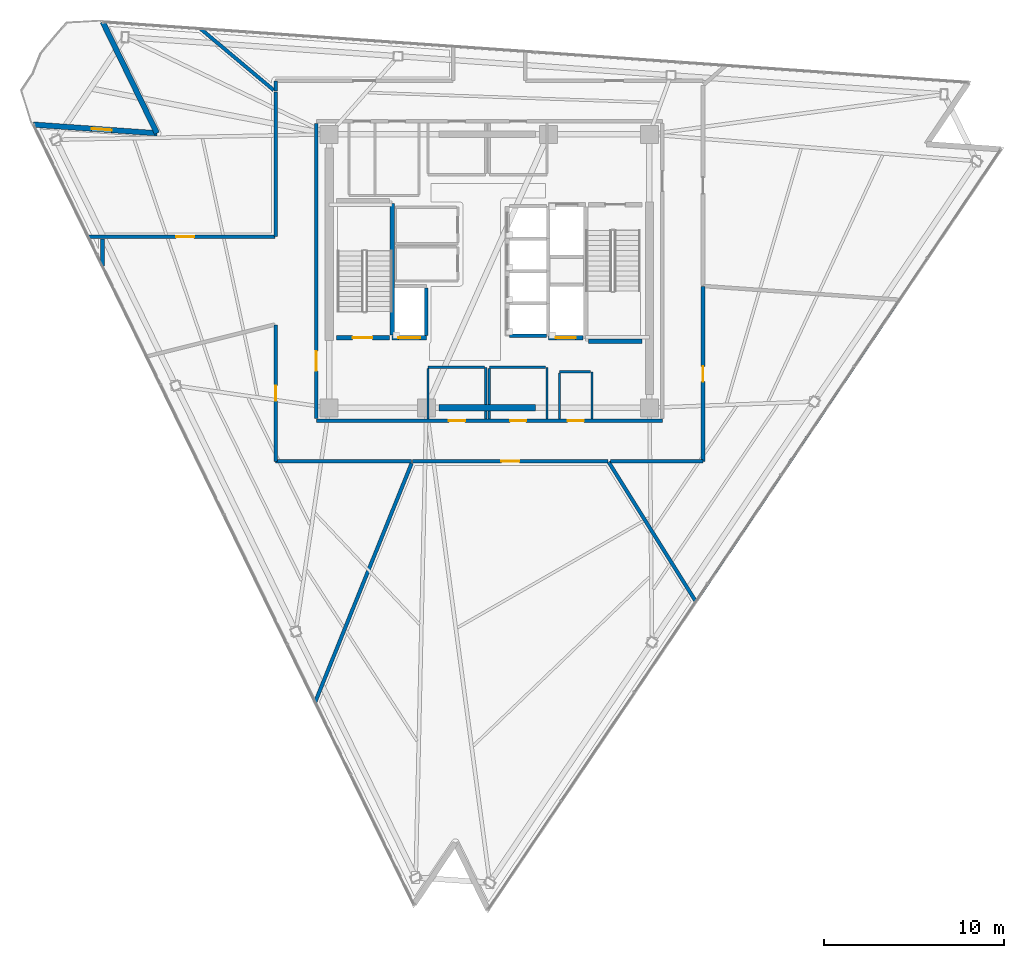
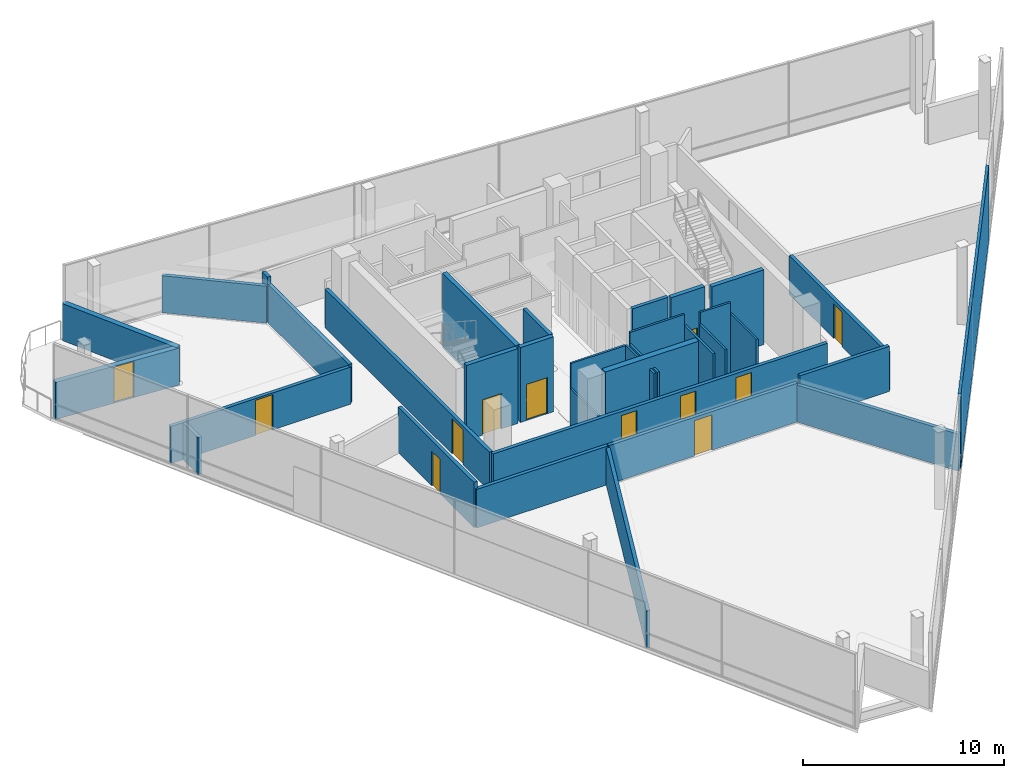
# One storey, part 9 of 13: 36 walls, 12 doors, 12 openings.
"""IFC4 building model written with IfcOpenShell, lengths in metres."""

from ifc_helpers import new_model, si_unit, direction, frame, frame_2d, origin, place, context, subcontext, project, spatial, rectangle, extrude, material, layer, layer_set, type_object, element, fill, save


model = new_model("IFC4")

# Units and contexts
model_context = context("Model", 3, precision=1e-05, world=origin(), true_north=direction((0.0, 1.0)))
body_context = subcontext(model_context, "Body", "Model", "MODEL_VIEW")
ifc_project = project(units=[si_unit("LENGTHUNIT", "METRE"), si_unit("AREAUNIT", "SQUARE_METRE"), si_unit("VOLUMEUNIT", "CUBIC_METRE"), si_unit("PLANEANGLEUNIT", "RADIAN"), si_unit("MASSUNIT", "GRAM", prefix="KILO")], contexts=[model_context])

# Site, building, storey
site_placement = place(None, origin())
site = spatial("IfcSite", under=ifc_project, at=site_placement, CompositionType="ELEMENT")
building_placement = place(site_placement, origin())
building = spatial("IfcBuilding", under=site, at=building_placement, Name="Tharavind Bronze Gate", CompositionType="ELEMENT")
storey_placement = place(building_placement, frame((0.0, 0.0, 248.64990234375)))
storey = spatial("IfcBuildingStorey", under=building, at=storey_placement, Name="L64", CompositionType="ELEMENT", Elevation=248.64990234375)

# Wall
ifc_material_1 = material(Name="Concrete C40/50", Category="concrete")
ifc_layer_1 = layer(ifc_material_1, 0.300048828125)
ifc_layer_set_1 = layer_set([ifc_layer_1], Name="Concrete C40/50")
wall_type_1 = type_object("IfcWallType", Name="EXTERIOR SPANDREL WALL 300", PredefinedType="STANDARD", material=ifc_layer_set_1)
wall_1_placement = place(storey_placement, frame((-21.489990234375, 13.844482421875, 0.0), z_axis=(0.0, 0.0, 1.0), x_axis=(0.438391471143, -0.898784133165, 0.0)))
element("IfcWall", 1, at=wall_1_placement, inside=storey, type_object=wall_type_1, Name="L64 notch cheek wall 1A", PredefinedType="STANDARD", context=body_context, shape_type="SweptSolid", body=[
    extrude(rectangle(XDim=6.8798828125, YDim=0.300048828125, at=frame_2d((3.43994140625, 0.0))), origin(), (0.0, 0.0, 1.0), 2.255126953125),
])

# Wall, opening, door
wall_2_placement = place(storey_placement, frame((-18.473876953125, 7.660888671875, 0.0), z_axis=(0.0, 0.0, 1.0), x_axis=(-0.997565982203, 0.069728840176, 0.0)))
wall_2 = element("IfcWall", 2, at=wall_2_placement, inside=storey, type_object=wall_type_1, Name="L64 notch cheek wall 1B", PredefinedType="STANDARD", context=body_context, shape_type="SweptSolid", body=[
    extrude(rectangle(XDim=6.880126953125, YDim=0.300048828125, at=frame_2d((3.43994140625, 0.0))), origin(), (0.0, 0.0, 1.0), 2.255126953125),
])
opening_1_placement = place(wall_2_placement, frame((2.531982421875, 0.0, 0.0)))
opening_1 = element("IfcOpeningElement", 3, at=opening_1_placement, cuts=wall_2, Name="Opening ED04", PredefinedType="OPENING", context=body_context, shape_type="SweptSolid", body=[
    extrude(rectangle(XDim=1.10009765625, YDim=2.199951171875, at=frame_2d((0.550048828125, 1.10009765625))), frame((0.0, 0.15990234375, 0.0), z_axis=(0.0, -1.0, 0.0), x_axis=(1.0, 0.0, 0.0)), (0.0, 0.0, 1.0), 0.320048828125),
])
ifc_material_2 = material(Name="Bronze Aluminium & Toughened Glass", Category="aluminium")
door_type_1 = type_object("IfcDoorType", Name="TREE BALCONY ACCESS DOOR 1100X2200", OperationType="SINGLE_SWING_LEFT", PredefinedType="DOOR", material=ifc_material_2)
door_1_placement = place(opening_1_placement, origin())
door_1 = element("IfcDoor", 4, at=door_1_placement, inside=storey, type_object=door_type_1, Name="L64 tree balcony access door", OperationType="SINGLE_SWING_LEFT", OverallHeight=2.199951171875, OverallWidth=1.10009765625, PredefinedType="DOOR", context=body_context, shape_type="SweptSolid", body=[
    extrude(rectangle(XDim=1.10009765625, YDim=2.199951171875, at=frame_2d((0.550048828125, 1.10009765625))), frame((0.0, 0.02490234375, 0.0), z_axis=(0.0, -1.0, 0.0), x_axis=(1.0, 0.0, 0.0)), (0.0, 0.0, 1.0), 0.050048828125),
])
fill(opening_1, door_1)

# Wall, openings, doors
ifc_material_3 = material(Name="Aerated Concrete Block", Category="concrete")
ifc_layer_2 = layer(ifc_material_3, 0.199951171875)
ifc_layer_set_2 = layer_set([ifc_layer_2], Name="Aerated Concrete Block")
wall_type_2 = type_object("IfcWallType", Name="FIRE RATED PARTITION 200", PredefinedType="PARTITIONING", material=ifc_layer_set_2)
wall_3_placement = place(storey_placement, frame((-9.6201171875, -8.320068359375, 0.0), z_axis=(0.0, 0.0, 1.0), x_axis=(1.0, 0.0, 0.0)))
wall_3 = element("IfcWall", 5, at=wall_3_placement, inside=storey, type_object=wall_type_2, Name="L64 south core corridor wall", PredefinedType="PARTITIONING", context=body_context, shape_type="SweptSolid", body=[
    extrude(rectangle(XDim=19.240234375, YDim=0.199951171875, at=frame_2d((9.6201171875, 0.0))), origin(), (0.0, 0.0, 1.0), 2.35498046875),
])
opening_2_placement = place(wall_3_placement, frame((7.3701171875, 0.0, 0.0)))
opening_2 = element("IfcOpeningElement", 6, at=opening_2_placement, cuts=wall_3, Name="Opening ID07", PredefinedType="OPENING", context=body_context, shape_type="SweptSolid", body=[
    extrude(rectangle(XDim=0.89990234375, YDim=2.10009765625, at=frame_2d((0.449951171875, 1.050048828125))), frame((0.0, 0.11009765625, 0.0), z_axis=(0.0, -1.0, 0.0), x_axis=(1.0, 0.0, 0.0)), (0.0, 0.0, 1.0), 0.219951171875),
])
opening_3_placement = place(wall_3_placement, frame((10.77001953125, 0.0, 0.0)))
opening_3 = element("IfcOpeningElement", 7, at=opening_3_placement, cuts=wall_3, Name="Opening ID07", PredefinedType="OPENING", context=body_context, shape_type="SweptSolid", body=[
    extrude(rectangle(XDim=0.89990234375, YDim=2.10009765625, at=frame_2d((0.449951171875, 1.050048828125))), frame((0.0, 0.11009765625, 0.0), z_axis=(0.0, -1.0, 0.0), x_axis=(1.0, 0.0, 0.0)), (0.0, 0.0, 1.0), 0.219951171875),
])
opening_4_placement = place(wall_3_placement, frame((13.969970703125, 0.0, 0.0)))
opening_4 = element("IfcOpeningElement", 8, at=opening_4_placement, cuts=wall_3, Name="Opening ID07", PredefinedType="OPENING", context=body_context, shape_type="SweptSolid", body=[
    extrude(rectangle(XDim=0.89990234375, YDim=2.10009765625, at=frame_2d((0.449951171875, 1.050048828125))), frame((0.0, 0.11009765625, 0.0), z_axis=(0.0, -1.0, 0.0), x_axis=(1.0, 0.0, 0.0)), (0.0, 0.0, 1.0), 0.219951171875),
])
ifc_material_4 = material(Name="Galvanised Fire Steel", Category="steel")
door_type_2 = type_object("IfcDoorType", Name="PLANT AND RISER FIRE DOOR 900X2100", OperationType="SINGLE_SWING_LEFT", PredefinedType="DOOR", material=ifc_material_4)
door_2_placement = place(opening_2_placement, frame((0.89990234375, 0.0, 0.0), z_axis=(0.0, 0.0, 1.0), x_axis=(-1.0, 0.0, 0.0)))
door_2 = element("IfcDoor", 9, at=door_2_placement, inside=storey, type_object=door_type_2, Name="L64 Core Archive Store fire door", OperationType="SINGLE_SWING_LEFT", OverallHeight=2.10009765625, OverallWidth=0.89990234375, PredefinedType="DOOR", context=body_context, shape_type="SweptSolid", body=[
    extrude(rectangle(XDim=0.89990234375, YDim=2.10009765625, at=frame_2d((0.449951171875, 1.050048828125))), frame((0.0, 0.02490234375, 0.0), z_axis=(0.0, -1.0, 0.0), x_axis=(1.0, 0.0, 0.0)), (0.0, 0.0, 1.0), 0.050048828125),
])
fill(opening_2, door_2)
door_3_placement = place(opening_3_placement, frame((0.89990234375, 0.0, 0.0), z_axis=(0.0, 0.0, 1.0), x_axis=(-1.0, 0.0, 0.0)))
door_3 = element("IfcDoor", 10, at=door_3_placement, inside=storey, type_object=door_type_2, Name="L64 Core Server Room fire door", OperationType="SINGLE_SWING_LEFT", OverallHeight=2.10009765625, OverallWidth=0.89990234375, PredefinedType="DOOR", context=body_context, shape_type="SweptSolid", body=[
    extrude(rectangle(XDim=0.89990234375, YDim=2.10009765625, at=frame_2d((0.449951171875, 1.050048828125))), frame((0.0, 0.02490234375, 0.0), z_axis=(0.0, -1.0, 0.0), x_axis=(1.0, 0.0, 0.0)), (0.0, 0.0, 1.0), 0.050048828125),
])
fill(opening_3, door_3)
door_4_placement = place(opening_4_placement, frame((0.89990234375, 0.0, 0.0), z_axis=(0.0, 0.0, 1.0), x_axis=(-1.0, 0.0, 0.0)))
door_4 = element("IfcDoor", 11, at=door_4_placement, inside=storey, type_object=door_type_2, Name="L64 Janitor Store Cupboard fire door", OperationType="SINGLE_SWING_LEFT", OverallHeight=2.10009765625, OverallWidth=0.89990234375, PredefinedType="DOOR", context=body_context, shape_type="SweptSolid", body=[
    extrude(rectangle(XDim=0.89990234375, YDim=2.10009765625, at=frame_2d((0.449951171875, 1.050048828125))), frame((0.0, 0.02490234375, 0.0), z_axis=(0.0, -1.0, 0.0), x_axis=(1.0, 0.0, 0.0)), (0.0, 0.0, 1.0), 0.050048828125),
])
fill(opening_4, door_4)

# Wall, opening, door
wall_4_placement = place(storey_placement, frame((-9.6201171875, 8.199951171875, 0.0), z_axis=(0.0, 0.0, 1.0), x_axis=(0.0, -1.0, 0.0)))
wall_4 = element("IfcWall", 12, at=wall_4_placement, inside=storey, type_object=wall_type_2, Name="L64 west core corridor wall", PredefinedType="PARTITIONING", context=body_context, shape_type="SweptSolid", body=[
    extrude(rectangle(XDim=16.39990234375, YDim=0.199951171875, at=frame_2d((8.199951171875, 0.0))), origin(), (0.0, 0.0, 1.0), 2.35498046875),
])
opening_5_placement = place(wall_4_placement, frame((12.64990234375, 0.0, 0.0)))
opening_5 = element("IfcOpeningElement", 13, at=opening_5_placement, cuts=wall_4, Name="Opening ID01", PredefinedType="OPENING", context=body_context, shape_type="SweptSolid", body=[
    extrude(rectangle(XDim=1.10009765625, YDim=2.14990234375, at=frame_2d((0.550048828125, 1.074951171875))), frame((0.0, 0.11009765625, 0.0), z_axis=(0.0, -1.0, 0.0), x_axis=(1.0, 0.0, 0.0)), (0.0, 0.0, 1.0), 0.219951171875),
])
ifc_material_5 = material(Name="Fire-Rated Steel", Category="steel")
door_type_3 = type_object("IfcDoorType", Name="STAIR CORE FIRE DOOR 1100X2150", OperationType="SINGLE_SWING_LEFT", PredefinedType="DOOR", material=ifc_material_5)
door_5_placement = place(opening_5_placement, frame((1.10009765625, 0.0, 0.0), z_axis=(0.0, 0.0, 1.0), x_axis=(-1.0, 0.0, 0.0)))
door_5 = element("IfcDoor", 14, at=door_5_placement, inside=storey, type_object=door_type_3, Name="L64 south west stair lobby fire door", OperationType="SINGLE_SWING_LEFT", OverallHeight=2.14990234375, OverallWidth=1.10009765625, PredefinedType="DOOR", context=body_context, shape_type="SweptSolid", body=[
    extrude(rectangle(XDim=1.10009765625, YDim=2.14990234375, at=frame_2d((0.550048828125, 1.074951171875))), frame((0.0, 0.02490234375, 0.0), z_axis=(0.0, -1.0, 0.0), x_axis=(1.0, 0.0, 0.0)), (0.0, 0.0, 1.0), 0.050048828125),
])
fill(opening_5, door_5)

wall_5_placement = place(storey_placement, frame((-11.8798828125, -2.993896484375, 0.0), z_axis=(0.0, 0.0, 1.0), x_axis=(0.0, -1.0, 0.0)))
wall_5 = element("IfcWall", 15, at=wall_5_placement, inside=storey, type_object=wall_type_2, Name="L64 Public Restrooms Block partition", PredefinedType="PARTITIONING", context=body_context, shape_type="SweptSolid", body=[
    extrude(rectangle(XDim=7.58544921875, YDim=0.199951171875, at=frame_2d((3.792724609375, 0.0))), origin(), (0.0, 0.0, 1.0), 2.755126953125),
])
opening_6_placement = place(wall_5_placement, frame((3.367919921875, 0.0, 0.0)))
opening_6 = element("IfcOpeningElement", 16, at=opening_6_placement, cuts=wall_5, Name="Opening ID06", PredefinedType="OPENING", context=body_context, shape_type="SweptSolid", body=[
    extrude(rectangle(XDim=0.85009765625, YDim=2.10009765625, at=frame_2d((0.425048828125, 1.050048828125))), frame((0.0, 0.11009765625, 0.0), z_axis=(0.0, -1.0, 0.0), x_axis=(1.0, 0.0, 0.0)), (0.0, 0.0, 1.0), 0.219951171875),
])
ifc_material_6 = material(Name="Moisture-Resistant Timber", Category="wood")
door_type_4 = type_object("IfcDoorType", Name="BATHROOM PRIVACY DOOR 850X2100", OperationType="SINGLE_SWING_RIGHT", PredefinedType="DOOR", material=ifc_material_6)
door_6_placement = place(opening_6_placement, origin())
door_6 = element("IfcDoor", 17, at=door_6_placement, inside=storey, type_object=door_type_4, Name="L64 Public Restrooms Block door", OperationType="SINGLE_SWING_RIGHT", OverallHeight=2.10009765625, OverallWidth=0.85009765625, PredefinedType="DOOR", context=body_context, shape_type="SweptSolid", body=[
    extrude(rectangle(XDim=0.85009765625, YDim=2.10009765625, at=frame_2d((0.425048828125, 1.050048828125))), frame((0.0, 0.02490234375, 0.0), z_axis=(0.0, -1.0, 0.0), x_axis=(1.0, 0.0, 0.0)), (0.0, 0.0, 1.0), 0.050048828125),
])
fill(opening_6, door_6)

# Walls
wall_6_placement = place(storey_placement, frame((-11.87939453125, -10.580078125, 0.0), z_axis=(0.0, 0.0, 1.0), x_axis=(1.0, 0.0, 0.0)))
element("IfcWall", 18, at=wall_6_placement, inside=storey, type_object=wall_type_2, Name="L64 Public Restrooms Block partition", PredefinedType="PARTITIONING", context=body_context, shape_type="SweptSolid", body=[
    extrude(rectangle(XDim=7.567626953125, YDim=0.199951171875, at=frame_2d((3.78369140625, 0.0))), origin(), (0.0, 0.0, 1.0), 2.35498046875),
])
wall_7_placement = place(storey_placement, frame((-4.31689453125, -10.68505859375, 0.0), z_axis=(0.0, 0.0, 1.0), x_axis=(-0.374607677729, -0.927183416475, 0.0)))
element("IfcWall", 19, at=wall_7_placement, inside=storey, type_object=wall_type_2, Name="L64 Public Restrooms Block partition", PredefinedType="PARTITIONING", context=body_context, shape_type="SweptSolid", body=[
    extrude(rectangle(XDim=14.317626953125, YDim=0.199951171875, at=frame_2d((7.15869140625, 0.0))), origin(), (0.0, 0.0, 1.0), 2.255126953125),
])
wall_8_placement = place(storey_placement, frame((11.476318359375, -18.365478515625, 0.0), z_axis=(0.0, 0.0, 1.0), x_axis=(-0.529938884519, 0.848035835726, 0.0)))
element("IfcWall", 20, at=wall_8_placement, inside=storey, type_object=wall_type_2, Name="L64 Public Restrooms Block partition", PredefinedType="PARTITIONING", context=body_context, shape_type="SweptSolid", body=[
    extrude(rectangle(XDim=9.135498046875, YDim=0.199951171875, at=frame_2d((4.56787109375, 0.0))), origin(), (0.0, 0.0, 1.0), 2.255126953125),
])
wall_9_placement = place(storey_placement, frame((6.73486328125, -10.580078125, 0.0), z_axis=(0.0, 0.0, 1.0), x_axis=(1.0, 0.0, 0.0)))
element("IfcWall", 21, at=wall_9_placement, inside=storey, type_object=wall_type_2, Name="L64 Public Restrooms Block partition", PredefinedType="PARTITIONING", context=body_context, shape_type="SweptSolid", body=[
    extrude(rectangle(XDim=5.14453125, YDim=0.199951171875, at=frame_2d((2.572265625, 0.0))), origin(), (0.0, 0.0, 1.0), 2.755126953125),
])

# Wall, opening, door
wall_10_placement = place(storey_placement, frame((11.8798828125, -10.579345703125, 0.0), z_axis=(0.0, 0.0, 1.0), x_axis=(0.0, 1.0, 0.0)))
wall_10 = element("IfcWall", 22, at=wall_10_placement, inside=storey, type_object=wall_type_2, Name="L64 Public Restrooms Block partition", PredefinedType="PARTITIONING", context=body_context, shape_type="SweptSolid", body=[
    extrude(rectangle(XDim=9.721923828125, YDim=0.199951171875, at=frame_2d((4.86083984375, 0.0))), origin(), (0.0, 0.0, 1.0), 2.35498046875),
])
opening_7_placement = place(wall_10_placement, frame((4.43603515625, 0.0, 0.0)))
opening_7 = element("IfcOpeningElement", 23, at=opening_7_placement, cuts=wall_10, Name="Opening ID06", PredefinedType="OPENING", context=body_context, shape_type="SweptSolid", body=[
    extrude(rectangle(XDim=0.85009765625, YDim=2.10009765625, at=frame_2d((0.425048828125, 1.050048828125))), frame((0.0, 0.11009765625, 0.0), z_axis=(0.0, -1.0, 0.0), x_axis=(1.0, 0.0, 0.0)), (0.0, 0.0, 1.0), 0.219951171875),
])
door_7_placement = place(opening_7_placement, origin())
door_7 = element("IfcDoor", 24, at=door_7_placement, inside=storey, type_object=door_type_4, Name="L64 Public Restrooms Block door", OperationType="SINGLE_SWING_RIGHT", OverallHeight=2.10009765625, OverallWidth=0.85009765625, PredefinedType="DOOR", context=body_context, shape_type="SweptSolid", body=[
    extrude(rectangle(XDim=0.85009765625, YDim=2.10009765625, at=frame_2d((0.425048828125, 1.050048828125))), frame((0.0, 0.02490234375, 0.0), z_axis=(0.0, -1.0, 0.0), x_axis=(1.0, 0.0, 0.0)), (0.0, 0.0, 1.0), 0.050048828125),
])
fill(opening_7, door_7)

# Walls
wall_11_placement = place(storey_placement, frame((-11.8798828125, 10.579345703125, 0.0), z_axis=(0.0, 0.0, 1.0), x_axis=(0.0, -1.0, 0.0)))
element("IfcWall", 25, at=wall_11_placement, inside=storey, type_object=wall_type_2, Name="L64 Scrum Huddle Room partition", PredefinedType="PARTITIONING", context=body_context, shape_type="SweptSolid", body=[
    extrude(rectangle(XDim=0.55712890625, YDim=0.199951171875, at=frame_2d((0.278564453125, 0.0))), origin(), (0.0, 0.0, 1.0), 2.755126953125),
])
wall_12_placement = place(storey_placement, frame((-11.985107421875, 10.056640625, 0.0), z_axis=(0.0, 0.0, 1.0), x_axis=(-0.766042290072, 0.64279017558, 0.0)))
element("IfcWall", 26, at=wall_12_placement, inside=storey, type_object=wall_type_2, Name="L64 Scrum Huddle Room partition", PredefinedType="PARTITIONING", context=body_context, shape_type="SweptSolid", body=[
    extrude(rectangle(XDim=5.30078125, YDim=0.199951171875, at=frame_2d((2.650390625, 0.0))), origin(), (0.0, 0.0, 1.0), 2.255126953125),
])
wall_13_placement = place(storey_placement, frame((-11.8798828125, 9.956787109375, 0.0), z_axis=(0.0, 0.0, 1.0), x_axis=(0.0, -1.0, 0.0)))
element("IfcWall", 27, at=wall_13_placement, inside=storey, type_object=wall_type_2, Name="L64 Security Operations Office partition", PredefinedType="PARTITIONING", context=body_context, shape_type="SweptSolid", body=[
    extrude(rectangle(XDim=8.03173828125, YDim=0.199951171875, at=frame_2d((4.015869140625, 0.0))), origin(), (0.0, 0.0, 1.0), 2.35498046875),
])

# Wall, opening, door
wall_14_placement = place(storey_placement, frame((-11.905029296875, 1.89990234375, 0.0), z_axis=(0.0, 0.0, 1.0), x_axis=(-1.0, 0.0, 0.0)))
wall_14 = element("IfcWall", 28, at=wall_14_placement, inside=storey, type_object=wall_type_2, Name="L64 Security Operations Office partition", PredefinedType="PARTITIONING", context=body_context, shape_type="SweptSolid", body=[
    extrude(rectangle(XDim=10.38818359375, YDim=0.199951171875, at=frame_2d((5.194091796875, 0.0))), origin(), (0.0, 0.0, 1.0), 2.255126953125),
])
opening_8_placement = place(wall_14_placement, frame((4.508056640625, 0.0, 0.0)))
opening_8 = element("IfcOpeningElement", 29, at=opening_8_placement, cuts=wall_14, Name="Opening ID04", PredefinedType="OPENING", context=body_context, shape_type="SweptSolid", body=[
    extrude(rectangle(XDim=1.0, YDim=2.14990234375, at=frame_2d((0.5, 1.074951171875))), frame((0.0, 0.11009765625, 0.0), z_axis=(0.0, -1.0, 0.0), x_axis=(1.0, 0.0, 0.0)), (0.0, 0.0, 1.0), 0.219951171875),
])
ifc_material_7 = material(Name="Bronze Framed Acoustic Timber", Category="wood")
door_type_5 = type_object("IfcDoorType", Name="OFFICE TENANCY DOOR 1000X2150", OperationType="SINGLE_SWING_RIGHT", PredefinedType="DOOR", material=ifc_material_7)
door_8_placement = place(opening_8_placement, origin())
door_8 = element("IfcDoor", 30, at=door_8_placement, inside=storey, type_object=door_type_5, Name="L64 Security Operations Office door", OperationType="SINGLE_SWING_RIGHT", OverallHeight=2.14990234375, OverallWidth=1.0, PredefinedType="DOOR", context=body_context, shape_type="SweptSolid", body=[
    extrude(rectangle(XDim=1.0, YDim=2.14990234375, at=frame_2d((0.5, 1.074951171875))), frame((0.0, 0.02490234375, 0.0), z_axis=(0.0, -1.0, 0.0), x_axis=(1.0, 0.0, 0.0)), (0.0, 0.0, 1.0), 0.050048828125),
])
fill(opening_8, door_8)

# Wall
wall_15_placement = place(storey_placement, frame((-21.5, 1.794921875, 0.0), z_axis=(0.0, 0.0, 1.0), x_axis=(0.0, -1.0, 0.0)))
element("IfcWall", 31, at=wall_15_placement, inside=storey, type_object=wall_type_2, Name="L64 Security Operations Office partition", PredefinedType="PARTITIONING", context=body_context, shape_type="SweptSolid", body=[
    extrude(rectangle(XDim=1.521484375, YDim=0.199951171875, at=frame_2d((0.7607421875, 0.0))), origin(), (0.0, 0.0, 1.0), 2.255126953125),
])

# Wall, opening, door
wall_16_placement = place(storey_placement, frame((-4.2578125, -10.580078125, 0.0), z_axis=(0.0, 0.0, 1.0), x_axis=(1.0, 0.0, 0.0)))
wall_16 = element("IfcWall", 32, at=wall_16_placement, inside=storey, type_object=wall_type_2, Name="L64 Platform Open Office partition", PredefinedType="PARTITIONING", context=body_context, shape_type="SweptSolid", body=[
    extrude(rectangle(XDim=10.855224609375, YDim=0.199951171875, at=frame_2d((5.427734375, 0.0))), origin(), (0.0, 0.0, 1.0), 2.35498046875),
])
opening_9_placement = place(wall_16_placement, frame((4.927978515625, 0.0, 0.0)))
opening_9 = element("IfcOpeningElement", 33, at=opening_9_placement, cuts=wall_16, Name="Opening ID04", PredefinedType="OPENING", context=body_context, shape_type="SweptSolid", body=[
    extrude(rectangle(XDim=1.0, YDim=2.14990234375, at=frame_2d((0.5, 1.074951171875))), frame((0.0, 0.11009765625, 0.0), z_axis=(0.0, -1.0, 0.0), x_axis=(1.0, 0.0, 0.0)), (0.0, 0.0, 1.0), 0.219951171875),
])
door_9_placement = place(opening_9_placement, origin())
door_9 = element("IfcDoor", 34, at=door_9_placement, inside=storey, type_object=door_type_5, Name="L64 Platform Open Office door", OperationType="SINGLE_SWING_RIGHT", OverallHeight=2.14990234375, OverallWidth=1.0, PredefinedType="DOOR", context=body_context, shape_type="SweptSolid", body=[
    extrude(rectangle(XDim=1.0, YDim=2.14990234375, at=frame_2d((0.5, 1.074951171875))), frame((0.0, 0.02490234375, 0.0), z_axis=(0.0, -1.0, 0.0), x_axis=(1.0, 0.0, 0.0)), (0.0, 0.0, 1.0), 0.050048828125),
])
fill(opening_9, door_9)

# Walls
ifc_material_8 = material(Name="Metal Stud Gypsum Partition", Category="gypsum")
ifc_layer_3 = layer(ifc_material_8, 0.1201171875)
ifc_layer_set_3 = layer_set([ifc_layer_3], Name="Metal Stud Gypsum Partition")
wall_type_3 = type_object("IfcWallType", Name="INTERIOR PARTITION WALL 120", PredefinedType="PARTITIONING", material=ifc_layer_set_3)
wall_17_placement = place(storey_placement, frame((-0.199951171875, -8.215087890625, 0.0), z_axis=(0.0, 0.0, 1.0), x_axis=(0.0, 1.0, 0.0)))
element("IfcWall", 35, at=wall_17_placement, inside=storey, type_object=wall_type_3, Name="L64 Core Archive Store partition 2", PredefinedType="PARTITIONING", context=body_context, shape_type="SweptSolid", body=[
    extrude(rectangle(XDim=0.43505859375, YDim=0.1201171875, at=frame_2d((0.217529296875, 0.0))), origin(), (0.0, 0.0, 1.0), 3.85498046875),
])
wall_18_placement = place(storey_placement, frame((-0.199951171875, -7.419921875, 0.0), z_axis=(0.0, 0.0, 1.0), x_axis=(0.0, 1.0, 0.0)))
element("IfcWall", 36, at=wall_18_placement, inside=storey, type_object=wall_type_3, Name="L64 Core Archive Store partition 2", PredefinedType="PARTITIONING", context=body_context, shape_type="SweptSolid", body=[
    extrude(rectangle(XDim=2.06982421875, YDim=0.1201171875, at=frame_2d((1.034912109375, 0.0))), origin(), (0.0, 0.0, 1.0), 3.85498046875),
])
wall_19_placement = place(storey_placement, frame((-0.264892578125, -5.35009765625, 0.0), z_axis=(0.0, 0.0, 1.0), x_axis=(-1.0, 0.0, 0.0)))
element("IfcWall", 37, at=wall_19_placement, inside=storey, type_object=wall_type_3, Name="L64 Core Archive Store partition 3", PredefinedType="PARTITIONING", context=body_context, shape_type="SweptSolid", body=[
    extrude(rectangle(XDim=3.135009765625, YDim=0.1201171875, at=frame_2d((1.5673828125, 0.0))), origin(), (0.0, 0.0, 1.0), 3.85498046875),
])
wall_20_placement = place(storey_placement, frame((-3.39990234375, -5.4150390625, 0.0), z_axis=(0.0, 0.0, 1.0), x_axis=(0.0, -1.0, 0.0)))
element("IfcWall", 38, at=wall_20_placement, inside=storey, type_object=wall_type_3, Name="L64 Core Archive Store partition 4", PredefinedType="PARTITIONING", context=body_context, shape_type="SweptSolid", body=[
    extrude(rectangle(XDim=2.800048828125, YDim=0.1201171875, at=frame_2d((1.39990234375, 0.0))), origin(), (0.0, 0.0, 1.0), 2.35498046875),
])
wall_21_placement = place(storey_placement, frame((3.199951171875, -8.215087890625, 0.0), z_axis=(0.0, 0.0, 1.0), x_axis=(0.0, 1.0, 0.0)))
element("IfcWall", 39, at=wall_21_placement, inside=storey, type_object=wall_type_3, Name="L64 Core Server Room partition 2", PredefinedType="PARTITIONING", context=body_context, shape_type="SweptSolid", body=[
    extrude(rectangle(XDim=2.864990234375, YDim=0.1201171875, at=frame_2d((1.4326171875, 0.0))), origin(), (0.0, 0.0, 1.0), 3.85498046875),
])
wall_22_placement = place(storey_placement, frame((3.135009765625, -5.35009765625, 0.0), z_axis=(0.0, 0.0, 1.0), x_axis=(-1.0, 0.0, 0.0)))
element("IfcWall", 40, at=wall_22_placement, inside=storey, type_object=wall_type_3, Name="L64 Core Server Room partition 3", PredefinedType="PARTITIONING", context=body_context, shape_type="SweptSolid", body=[
    extrude(rectangle(XDim=3.135009765625, YDim=0.1201171875, at=frame_2d((1.5673828125, 0.0))), origin(), (0.0, 0.0, 1.0), 4.56005859375),
])
wall_23_placement = place(storey_placement, frame((0.0, -5.4150390625, 0.0), z_axis=(0.0, 0.0, 1.0), x_axis=(0.0, -1.0, 0.0)))
element("IfcWall", 41, at=wall_23_placement, inside=storey, type_object=wall_type_3, Name="L64 Core Server Room partition 4", PredefinedType="PARTITIONING", context=body_context, shape_type="SweptSolid", body=[
    extrude(rectangle(XDim=2.0048828125, YDim=0.1201171875, at=frame_2d((1.00244140625, 0.0))), origin(), (0.0, 0.0, 1.0), 3.85498046875),
])
wall_24_placement = place(storey_placement, frame((0.0, -7.780029296875, 0.0), z_axis=(0.0, 0.0, 1.0), x_axis=(0.0, -1.0, 0.0)))
element("IfcWall", 42, at=wall_24_placement, inside=storey, type_object=wall_type_3, Name="L64 Core Server Room partition 4", PredefinedType="PARTITIONING", context=body_context, shape_type="SweptSolid", body=[
    extrude(rectangle(XDim=0.43505859375, YDim=0.1201171875, at=frame_2d((0.217529296875, 0.0))), origin(), (0.0, 0.0, 1.0), 3.85498046875),
])
wall_25_placement = place(storey_placement, frame((5.699951171875, -8.215087890625, 0.0), z_axis=(0.0, 0.0, 1.0), x_axis=(0.0, 1.0, 0.0)))
element("IfcWall", 43, at=wall_25_placement, inside=storey, type_object=wall_type_3, Name="L64 Janitor Store Cupboard partition 2", PredefinedType="PARTITIONING", context=body_context, shape_type="SweptSolid", body=[
    extrude(rectangle(XDim=2.614990234375, YDim=0.1201171875, at=frame_2d((1.3076171875, 0.0))), origin(), (0.0, 0.0, 1.0), 3.85498046875),
])
wall_26_placement = place(storey_placement, frame((5.635009765625, -5.60009765625, 0.0), z_axis=(0.0, 0.0, 1.0), x_axis=(-1.0, 0.0, 0.0)))
element("IfcWall", 44, at=wall_26_placement, inside=storey, type_object=wall_type_3, Name="L64 Janitor Store Cupboard partition 3", PredefinedType="PARTITIONING", context=body_context, shape_type="SweptSolid", body=[
    extrude(rectangle(XDim=1.735107421875, YDim=0.1201171875, at=frame_2d((0.86767578125, 0.0))), origin(), (0.0, 0.0, 1.0), 4.56005859375),
])
wall_27_placement = place(storey_placement, frame((3.89990234375, -5.6650390625, 0.0), z_axis=(0.0, 0.0, 1.0), x_axis=(0.0, -1.0, 0.0)))
element("IfcWall", 45, at=wall_27_placement, inside=storey, type_object=wall_type_3, Name="L64 Janitor Store Cupboard partition 4", PredefinedType="PARTITIONING", context=body_context, shape_type="SweptSolid", body=[
    extrude(rectangle(XDim=2.550048828125, YDim=0.1201171875, at=frame_2d((1.27490234375, 0.0))), origin(), (0.0, 0.0, 1.0), 3.85498046875),
])
ifc_material_9 = material(Name="Twin Stud Acoustic Gypsum", Category="gypsum")
ifc_layer_4 = layer(ifc_material_9, 0.14990234375)
ifc_layer_set_4 = layer_set([ifc_layer_4], Name="Twin Stud Acoustic Gypsum")
wall_type_4 = type_object("IfcWallType", Name="INTERIOR PARTITION WALL 150", PredefinedType="PARTITIONING", material=ifc_layer_set_4)
wall_28_placement = place(storey_placement, frame((22.721435546875, -1.694091796875, 0.0), z_axis=(0.0, 0.0, 1.0), x_axis=(-0.559192024243, -0.829038165601, 0.0)))
element("IfcWall", 46, at=wall_28_placement, inside=storey, type_object=wall_type_4, Name="L64 Public Restrooms Block partition", PredefinedType="PARTITIONING", context=body_context, shape_type="SweptSolid", body=[
    extrude(rectangle(XDim=19.994873046875, YDim=0.14990234375, at=frame_2d((9.99755859375, 0.0))), origin(), (0.0, 0.0, 1.0), 4.56005859375),
])
ifc_material_10 = material(Name="Concrete C50/60", Category="concrete")
ifc_layer_5 = layer(ifc_material_10, 0.25)
ifc_layer_set_5 = layer_set([ifc_layer_5], Name="Concrete C50/60")
wall_type_5 = type_object("IfcWallType", Name="RC CORE SHEAR WALL 250", PredefinedType="SHEAR", material=ifc_layer_set_5)
wall_29_placement = place(storey_placement, frame((-5.39990234375, -3.550048828125, 0.0), z_axis=(0.0, 0.0, 1.0), x_axis=(0.0, 1.0, 0.0)))
element("IfcWall", 47, at=wall_29_placement, inside=storey, type_object=wall_type_5, Name="L64 ST1 shaft east wall", PredefinedType="SHEAR", context=body_context, shape_type="SweptSolid", body=[
    extrude(rectangle(XDim=7.300048828125, YDim=0.25, at=frame_2d((3.64990234375, 0.0))), origin(), (0.0, 0.0, 1.0), 4.56005859375),
])

# Wall, opening, door
wall_30_placement = place(storey_placement, frame((-8.5, -3.699951171875, 0.0), z_axis=(0.0, 0.0, 1.0), x_axis=(1.0, 0.0, 0.0)))
wall_30 = element("IfcWall", 48, at=wall_30_placement, inside=storey, type_object=wall_type_5, Name="L64 ST1 shaft south wall", PredefinedType="SHEAR", context=body_context, shape_type="SweptSolid", body=[
    extrude(rectangle(XDim=2.949951171875, YDim=0.25, at=frame_2d((1.47509765625, 0.0))), origin(), (0.0, 0.0, 1.0), 4.56005859375),
])
opening_10_placement = place(wall_30_placement, frame((0.89990234375, 0.0, 0.0)))
opening_10 = element("IfcOpeningElement", 49, at=opening_10_placement, cuts=wall_30, Name="Opening ID01", PredefinedType="OPENING", context=body_context, shape_type="SweptSolid", body=[
    extrude(rectangle(XDim=1.10009765625, YDim=2.14990234375, at=frame_2d((0.550048828125, 1.074951171875))), frame((0.0, 0.135, 0.0), z_axis=(0.0, -1.0, 0.0), x_axis=(1.0, 0.0, 0.0)), (0.0, 0.0, 1.0), 0.27),
])
door_10_placement = place(opening_10_placement, origin())
door_10 = element("IfcDoor", 50, at=door_10_placement, inside=storey, type_object=door_type_3, Name="L64 exit stair ST1 fire door", OperationType="SINGLE_SWING_LEFT", OverallHeight=2.14990234375, OverallWidth=1.10009765625, PredefinedType="DOOR", context=body_context, shape_type="SweptSolid", body=[
    extrude(rectangle(XDim=1.10009765625, YDim=2.14990234375, at=frame_2d((0.550048828125, 1.074951171875))), frame((0.0, 0.02490234375, 0.0), z_axis=(0.0, -1.0, 0.0), x_axis=(1.0, 0.0, 0.0)), (0.0, 0.0, 1.0), 0.050048828125),
])
fill(opening_10, door_10)

# Wall
wall_31_placement = place(storey_placement, frame((5.5, -3.89990234375, 0.0), z_axis=(0.0, 0.0, 1.0), x_axis=(1.0, 0.0, 0.0)))
element("IfcWall", 51, at=wall_31_placement, inside=storey, type_object=wall_type_5, Name="L64 ST2 shaft south wall", PredefinedType="SHEAR", context=body_context, shape_type="SweptSolid", body=[
    extrude(rectangle(XDim=3.0, YDim=0.25, at=frame_2d((1.5, 0.0))), origin(), (0.0, 0.0, 1.0), 4.56005859375),
])

# Wall, opening, door
wall_32_placement = place(storey_placement, frame((-5.39990234375, -3.699951171875, 0.0), z_axis=(0.0, 0.0, 1.0), x_axis=(1.0, 0.0, 0.0)))
wall_32 = element("IfcWall", 52, at=wall_32_placement, inside=storey, type_object=wall_type_5, Name="L64 lift FFL1 shaft front wall", PredefinedType="SHEAR", context=body_context, shape_type="SweptSolid", body=[
    extrude(rectangle(XDim=1.89990234375, YDim=0.25, at=frame_2d((0.949951171875, 0.0))), origin(), (0.0, 0.0, 1.0), 4.56005859375),
])
opening_11_placement = place(wall_32_placement, frame((0.35009765625, 0.0, 0.0)))
opening_11 = element("IfcOpeningElement", 53, at=opening_11_placement, cuts=wall_32, Name="Opening LD02", PredefinedType="OPENING", context=body_context, shape_type="SweptSolid", body=[
    extrude(rectangle(XDim=1.199951171875, YDim=2.199951171875, at=frame_2d((0.60009765625, 1.10009765625))), frame((0.0, 0.135, 0.0), z_axis=(0.0, -1.0, 0.0), x_axis=(1.0, 0.0, 0.0)), (0.0, 0.0, 1.0), 0.27),
])
ifc_material_11 = material(Name="Brushed Stainless Steel", Category="steel")
door_type_6 = type_object("IfcDoorType", Name="FIREFIGHTING LIFT LANDING DOOR 1200X2200", OperationType="SLIDING_TO_RIGHT", PredefinedType="DOOR", material=ifc_material_11)
door_11_placement = place(opening_11_placement, origin())
door_11 = element("IfcDoor", 54, at=door_11_placement, inside=storey, type_object=door_type_6, Name="L64 lift FFL1 sliding landing door", OperationType="SLIDING_TO_RIGHT", OverallHeight=2.199951171875, OverallWidth=1.199951171875, PredefinedType="DOOR", context=body_context, shape_type="SweptSolid", body=[
    extrude(rectangle(XDim=1.199951171875, YDim=2.199951171875, at=frame_2d((0.60009765625, 1.10009765625))), frame((0.0, 0.02490234375, 0.0), z_axis=(0.0, -1.0, 0.0), x_axis=(1.0, 0.0, 0.0)), (0.0, 0.0, 1.0), 0.050048828125),
])
fill(opening_11, door_11)

wall_33_placement = place(storey_placement, frame((3.280029296875, -3.699951171875, 0.0), z_axis=(0.0, 0.0, 1.0), x_axis=(1.0, 0.0, 0.0)))
wall_33 = element("IfcWall", 55, at=wall_33_placement, inside=storey, type_object=wall_type_5, Name="L64 lift SVL1 shaft front wall", PredefinedType="SHEAR", context=body_context, shape_type="SweptSolid", body=[
    extrude(rectangle(XDim=1.93994140625, YDim=0.25, at=frame_2d((0.969970703125, 0.0))), origin(), (0.0, 0.0, 1.0), 4.56005859375),
])
opening_12_placement = place(wall_33_placement, frame((0.419921875, 0.0, 0.0)))
opening_12 = element("IfcOpeningElement", 56, at=opening_12_placement, cuts=wall_33, Name="Opening LD01", PredefinedType="OPENING", context=body_context, shape_type="SweptSolid", body=[
    extrude(rectangle(XDim=1.10009765625, YDim=2.199951171875, at=frame_2d((0.550048828125, 1.10009765625))), frame((0.0, 0.135, 0.0), z_axis=(0.0, -1.0, 0.0), x_axis=(1.0, 0.0, 0.0)), (0.0, 0.0, 1.0), 0.27),
])
ifc_material_12 = material(Name="Brushed Bronze Stainless Steel", Category="steel")
door_type_7 = type_object("IfcDoorType", Name="LIFT LANDING SLIDING DOOR 1100X2200", OperationType="SLIDING_TO_LEFT", PredefinedType="DOOR", material=ifc_material_12)
door_12_placement = place(opening_12_placement, origin())
door_12 = element("IfcDoor", 57, at=door_12_placement, inside=storey, type_object=door_type_7, Name="L64 lift SVL1 sliding landing door", OperationType="SLIDING_TO_LEFT", OverallHeight=2.199951171875, OverallWidth=1.10009765625, PredefinedType="DOOR", context=body_context, shape_type="SweptSolid", body=[
    extrude(rectangle(XDim=1.10009765625, YDim=2.199951171875, at=frame_2d((0.550048828125, 1.10009765625))), frame((0.0, 0.02490234375, 0.0), z_axis=(0.0, -1.0, 0.0), x_axis=(1.0, 0.0, 0.0)), (0.0, 0.0, 1.0), 0.050048828125),
])
fill(opening_12, door_12)

# Walls
ifc_layer_6 = layer(ifc_material_10, 0.35009765625)
ifc_layer_set_6 = layer_set([ifc_layer_6], Name="Concrete C50/60")
wall_type_6 = type_object("IfcWallType", Name="RC CORE SHEAR WALL 350", PredefinedType="SHEAR", material=ifc_layer_set_6)
wall_34_placement = place(storey_placement, frame((-2.800048828125, -7.60009765625, 0.0), z_axis=(0.0, 0.0, 1.0), x_axis=(1.0, 0.0, 0.0)))
element("IfcWall", 58, at=wall_34_placement, inside=storey, type_object=wall_type_6, Name="L64 south core shear wall", PredefinedType="SHEAR", context=body_context, shape_type="SweptSolid", body=[
    extrude(rectangle(XDim=5.380126953125, YDim=0.35009765625, at=frame_2d((2.68994140625, 0.0))), origin(), (0.0, 0.0, 1.0), 4.56005859375),
])
ifc_layer_7 = layer(ifc_material_1, 0.199951171875)
ifc_layer_set_7 = layer_set([ifc_layer_7], Name="Concrete C40/50")
wall_type_7 = type_object("IfcWallType", Name="SHAFT ENCLOSURE WALL 200", PredefinedType="PARTITIONING", material=ifc_layer_set_7)
wall_35_placement = place(storey_placement, frame((1.1298828125, -3.60009765625, 0.0), z_axis=(0.0, 0.0, 1.0), x_axis=(1.0, 0.0, 0.0)))
element("IfcWall", 59, at=wall_35_placement, inside=storey, type_object=wall_type_7, Name="L64 lift PL9 shaft S enclosure wall", PredefinedType="PARTITIONING", context=body_context, shape_type="SweptSolid", body=[
    extrude(rectangle(XDim=2.045166015625, YDim=0.199951171875, at=frame_2d((1.0224609375, 0.0))), origin(), (0.0, 0.0, 1.0), 4.56005859375),
])
wall_36_placement = place(storey_placement, frame((-3.5, -3.570068359375, 0.0), z_axis=(0.0, 0.0, 1.0), x_axis=(0.0, 1.0, 0.0)))
element("IfcWall", 60, at=wall_36_placement, inside=storey, type_object=wall_type_7, Name="L64 lift FFL1 shaft E enclosure wall", PredefinedType="PARTITIONING", context=body_context, shape_type="SweptSolid", body=[
    extrude(rectangle(XDim=2.614990234375, YDim=0.199951171875, at=frame_2d((1.3076171875, 0.0))), origin(), (0.0, 0.0, 1.0), 4.56005859375),
])

save(model, "model.ifc")
